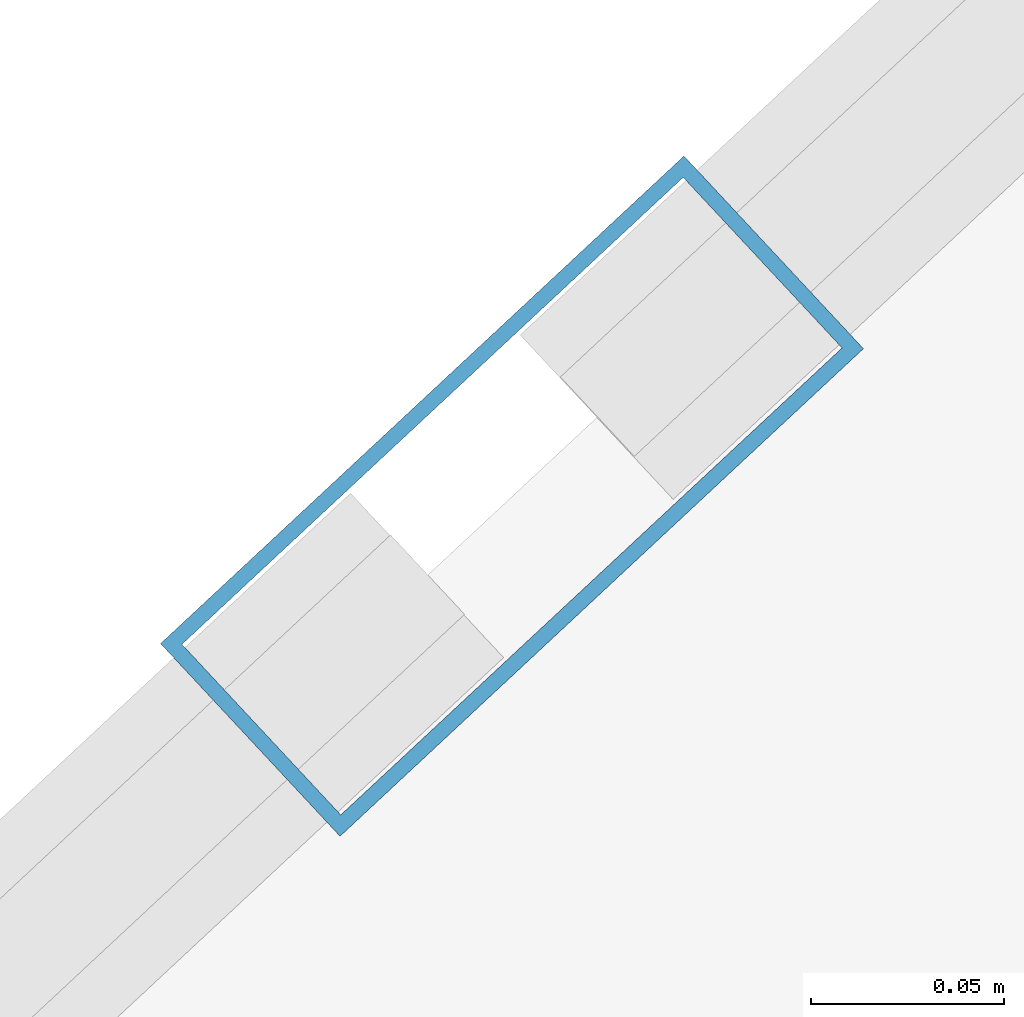
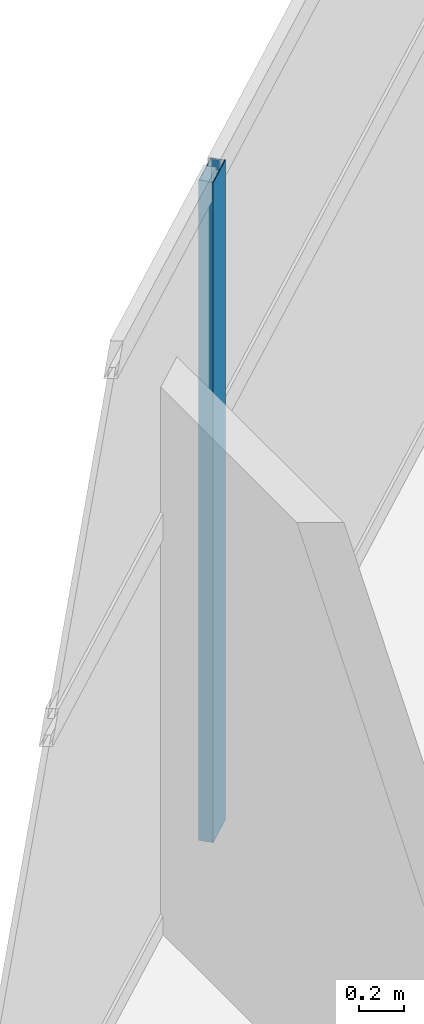
# One storey, part 12 of 28: 1 member, 1 element without a shape of its own.
"""IFC4 building model written with IfcOpenShell, lengths in metres."""

from ifc_helpers import new_model, si_unit, direction, frame, origin, origin_2d, place, context, subcontext, project, spatial, hollow_rectangle, extrude, material, layer, layer_set, material_profile, profile_set, type_object, element, aggregate, save


model = new_model("IFC4")

# Units and contexts
model_context = context("Model", 3, precision=1e-05, world=origin(), true_north=direction((0.0, 1.0)))
body_context = subcontext(model_context, "Body", "Model", "MODEL_VIEW")
ifc_project = project(units=[si_unit("LENGTHUNIT", "METRE"), si_unit("AREAUNIT", "SQUARE_METRE"), si_unit("VOLUMEUNIT", "CUBIC_METRE"), si_unit("PLANEANGLEUNIT", "RADIAN"), si_unit("MASSUNIT", "GRAM", prefix="KILO")], contexts=[model_context])

# Site, building, storey
site_placement = place(None, origin())
site = spatial("IfcSite", under=ifc_project, at=site_placement, CompositionType="ELEMENT")
building_placement = place(site_placement, origin())
building = spatial("IfcBuilding", under=site, at=building_placement, Name="Calvorn Quay Hotel", CompositionType="ELEMENT")
storey_placement = place(building_placement, frame((0.0, 0.0, 219.300048828125)))
storey = spatial("IfcBuildingStorey", under=building, at=storey_placement, Name="L54", CompositionType="ELEMENT", Elevation=219.300048828125)

# Curtain wall, member
ifc_material_1 = material(Name="Champagne Bronze Anodised Aluminium and Low-E Glass", Category="aluminium")
ifc_layer = layer(ifc_material_1, 0.219970703125)
ifc_layer_set = layer_set([ifc_layer], Name="CW-SYS-Z3")
curtain_wall_type = type_object("IfcCurtainWallType", Name="CW-SYS-Z3", PredefinedType="NOTDEFINED", material=ifc_layer_set)
curtain_wall_placement = place(storey_placement, origin())
curtain_wall = element("IfcCurtainWall", 1, at=curtain_wall_placement, inside=storey, type_object=curtain_wall_type, Name="Inner Court Curtain Wall L54-NE1", PredefinedType="NOTDEFINED")
ifc_material_2 = material(Name="Champagne Bronze Anodised Aluminium 6063-T6", Category="aluminium")
ifc_material_profile = material_profile(ifc_material_2, hollow_rectangle(XDim=0.068115234375, YDim=0.18505859375, WallThickness=0.00390625, at=origin_2d()), Name="ALU-M185x68x4")
ifc_profile_set = profile_set([ifc_material_profile], Name="Champagne Bronze Anodised Aluminium 6063-T6")
member_type = type_object("IfcMemberType", Name="CW-SYS-Z3-MUL", PredefinedType="MULLION", material=ifc_profile_set)
member_placement = place(storey_placement, frame((28.89990234375, 31.199951171875, 0.0), z_axis=(0.0, 0.0, 1.0), x_axis=(0.681603655102, -0.731721570922, 0.0)))
member = element("IfcMember", 2, at=member_placement, type_object=member_type, Name="CW-L54-NE1 mullion 2", PredefinedType="MULLION", context=body_context, shape_type="SweptSolid", body=[
    extrude(hollow_rectangle(XDim=0.068115234375, YDim=0.18505859375, WallThickness=0.00390625, at=origin_2d()), origin(), (0.0, 0.0, 1.0), 3.56005859375),
])
aggregate(curtain_wall, [member])

save(model, "model.ifc")
